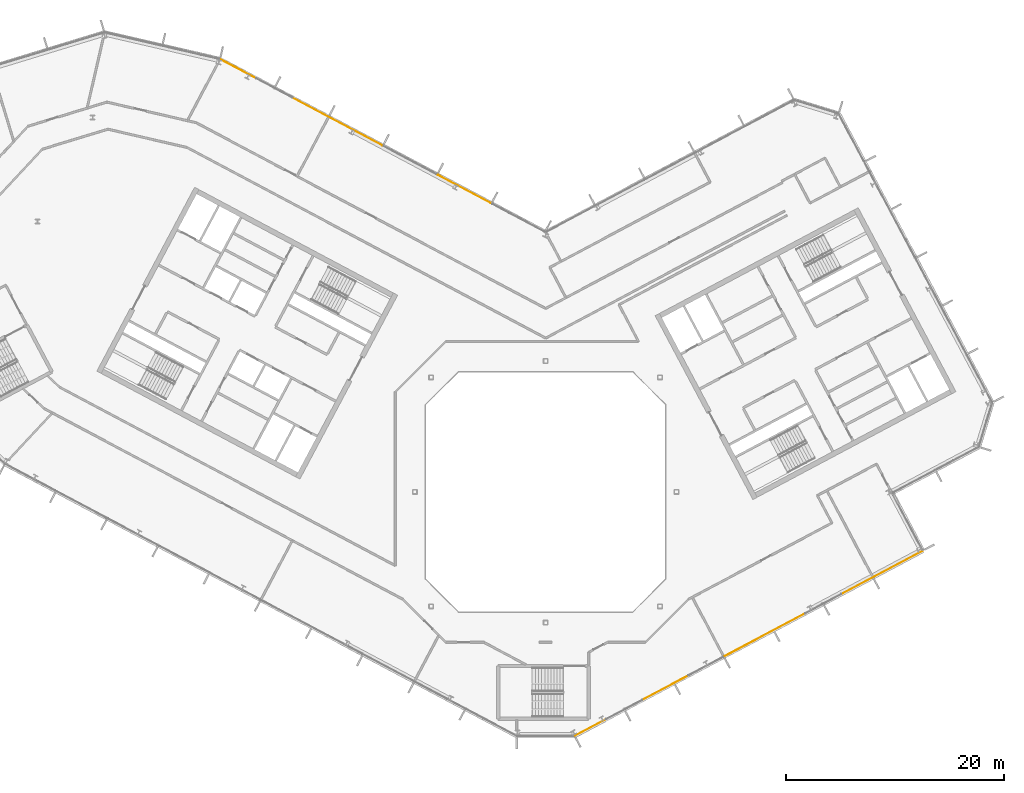
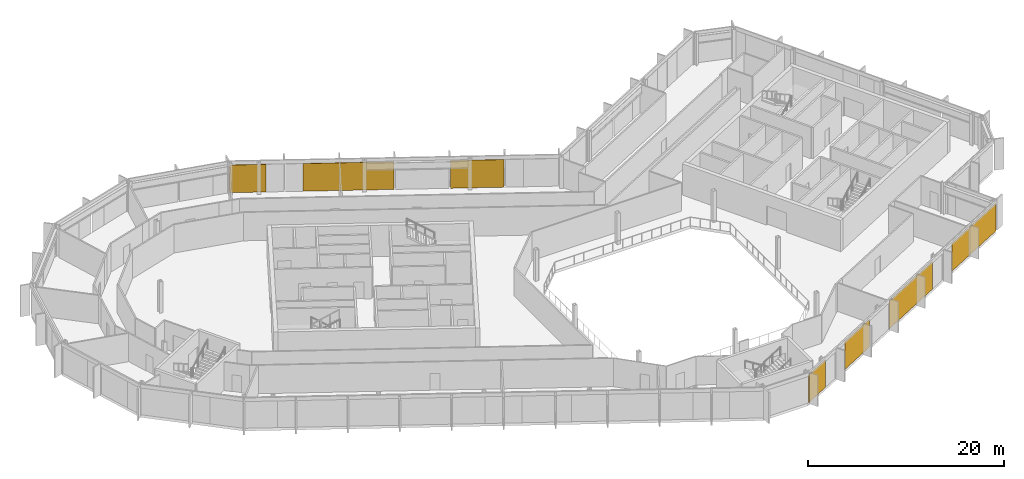
# One storey, part 23 of 25: 7 coverings, 2 elements without a shape of their own.
"""IFC4 building model written with IfcOpenShell, lengths in metres."""

from ifc_helpers import new_model, si_unit, direction, frame, origin, origin_2d, place, context, subcontext, project, spatial, rectangle, extrude, material, layer, layer_set, type_object, element, aggregate, save


model = new_model("IFC4")

# Units and contexts
model_context = context("Model", 3, precision=1e-05, world=origin(), true_north=direction((0.0, 1.0)))
body_context = subcontext(model_context, "Body", "Model", "MODEL_VIEW")
ifc_project = project(units=[si_unit("LENGTHUNIT", "METRE"), si_unit("AREAUNIT", "SQUARE_METRE"), si_unit("VOLUMEUNIT", "CUBIC_METRE"), si_unit("PLANEANGLEUNIT", "RADIAN"), si_unit("MASSUNIT", "GRAM", prefix="KILO")], contexts=[model_context])

# Site, building, storey
site_placement = place(None, origin())
site = spatial("IfcSite", under=ifc_project, at=site_placement, CompositionType="ELEMENT")
building_placement = place(site_placement, origin())
building = spatial("IfcBuilding", under=site, at=building_placement, Name="Cormorant Relay Tower", CompositionType="ELEMENT")
storey_placement = place(building_placement, frame((0.0, 0.0, 289.199951171875)))
storey = spatial("IfcBuildingStorey", under=building, at=storey_placement, Name="L65", CompositionType="ELEMENT", Elevation=289.199951171875)

# Curtain wall, coverings
ifc_material_1 = material(Name="Aluminium 6063-T6 anodised bronze", Category="aluminium")
ifc_layer_1 = layer(ifc_material_1, 0.199951171875)
ifc_layer_set_1 = layer_set([ifc_layer_1], Name="CW1 unitised bronze curtain wall with vertical fins")
curtain_wall_type = type_object("IfcCurtainWallType", Name="CW1 unitised bronze curtain wall with vertical fins", PredefinedType="NOTDEFINED", material=ifc_layer_set_1)
curtain_wall_1_placement = place(storey_placement, origin())
curtain_wall_1 = element("IfcCurtainWall", 1, at=curtain_wall_1_placement, inside=storey, type_object=curtain_wall_type, Name="CW1 curtain wall 2", PredefinedType="NOTDEFINED")
ifc_material_2 = material(Name="Pale bronze anodised aluminium insulated panel", Category="aluminium")
ifc_layer_2 = layer(ifc_material_2, 0.0400390625)
ifc_layer_set_2 = layer_set([ifc_layer_2], Name="CW1 pale bronze insulated panel 40")
covering_type = type_object("IfcCoveringType", Name="CW1 pale bronze insulated panel 40", PredefinedType="CLADDING", material=ifc_layer_set_2)
covering_1_placement = place(storey_placement, frame((4.14453125, -21.60302734375, 0.0), z_axis=(0.0, 0.0, 1.0), x_axis=(0.882947592859, 0.469471562786, 0.0)))
covering_1 = element("IfcCovering", 2, at=covering_1_placement, type_object=covering_type, Name="CW1 panel S00", PredefinedType="CLADDING", context=body_context, shape_type="SweptSolid", body=[
    extrude(rectangle(XDim=3.216552734375, YDim=0.0400390625, at=origin_2d()), origin(), (0.0, 0.0, 1.0), 3.449951171875),
])
covering_2_placement = place(storey_placement, frame((10.9873046875, -17.964599609375, 0.0), z_axis=(0.0, 0.0, 1.0), x_axis=(0.882947592859, 0.469471562786, 0.0)))
covering_2 = element("IfcCovering", 3, at=covering_2_placement, type_object=covering_type, Name="CW1 panel S03", PredefinedType="CLADDING", context=body_context, shape_type="SweptSolid", body=[
    extrude(rectangle(XDim=4.783203125, YDim=0.0400390625, at=origin_2d()), origin(), (0.0, 0.0, 1.0), 3.449951171875),
])
covering_3_placement = place(storey_placement, frame((20.11083984375, -13.113525390625, 0.0), z_axis=(0.0, 0.0, 1.0), x_axis=(0.882947592859, 0.469471562786, 0.0)))
covering_3 = element("IfcCovering", 4, at=covering_3_placement, type_object=covering_type, Name="CW1 panel S05", PredefinedType="CLADDING", context=body_context, shape_type="SweptSolid", body=[
    extrude(rectangle(XDim=8.383056640625, YDim=0.0400390625, at=origin_2d()), origin(), (0.0, 0.0, 1.0), 3.449951171875),
])
covering_4_placement = place(storey_placement, frame((30.856689453125, -7.39990234375, 0.0), z_axis=(0.0, 0.0, 1.0), x_axis=(0.882947592859, 0.469471562786, 0.0)))
covering_4 = element("IfcCovering", 5, at=covering_4_placement, type_object=covering_type, Name="CW1 panel S08", PredefinedType="CLADDING", context=body_context, shape_type="SweptSolid", body=[
    extrude(rectangle(XDim=8.4580078125, YDim=0.0400390625, at=origin_2d()), origin(), (0.0, 0.0, 1.0), 3.449951171875),
])
aggregate(curtain_wall_1, [covering_1, covering_2, covering_3, covering_4])

curtain_wall_2_placement = place(storey_placement, origin())
curtain_wall_2 = element("IfcCurtainWall", 6, at=curtain_wall_2_placement, inside=storey, type_object=curtain_wall_type, Name="CW1 curtain wall 9", PredefinedType="NOTDEFINED")
covering_5_placement = place(storey_placement, frame((-7.458984375, 27.772705078125, 0.0), z_axis=(0.0, 0.0, 1.0), x_axis=(-0.882947592859, 0.469471562786, 0.0)))
covering_5 = element("IfcCovering", 7, at=covering_5_placement, type_object=covering_type, Name="CW1 panel S02", PredefinedType="CLADDING", context=body_context, shape_type="SweptSolid", body=[
    extrude(rectangle(XDim=5.489013671875, YDim=0.0400390625, at=origin_2d()), origin(), (0.0, 0.0, 1.0), 3.449951171875),
])
covering_6_placement = place(storey_placement, frame((-19.11181640625, 33.968505859375, 0.0), z_axis=(0.0, 0.0, 1.0), x_axis=(-0.882947592859, 0.469471562786, 0.0)))
covering_6 = element("IfcCovering", 8, at=covering_6_placement, type_object=covering_type, Name="CW1 panel S04", PredefinedType="CLADDING", context=body_context, shape_type="SweptSolid", body=[
    extrude(rectangle(XDim=9.327880859375, YDim=0.0400390625, at=origin_2d()), origin(), (0.0, 0.0, 1.0), 3.449951171875),
])
covering_7_placement = place(storey_placement, frame((-28.20263671875, 38.80224609375, 0.0), z_axis=(0.0, 0.0, 1.0), x_axis=(-0.882947592859, 0.469471562786, 0.0)))
covering_7 = element("IfcCovering", 9, at=covering_7_placement, type_object=covering_type, Name="CW1 panel S07", PredefinedType="CLADDING", context=body_context, shape_type="SweptSolid", body=[
    extrude(rectangle(XDim=3.763916015625, YDim=0.0400390625, at=origin_2d()), origin(), (0.0, 0.0, 1.0), 3.449951171875),
])
aggregate(curtain_wall_2, [covering_5, covering_6, covering_7])

save(model, "model.ifc")
